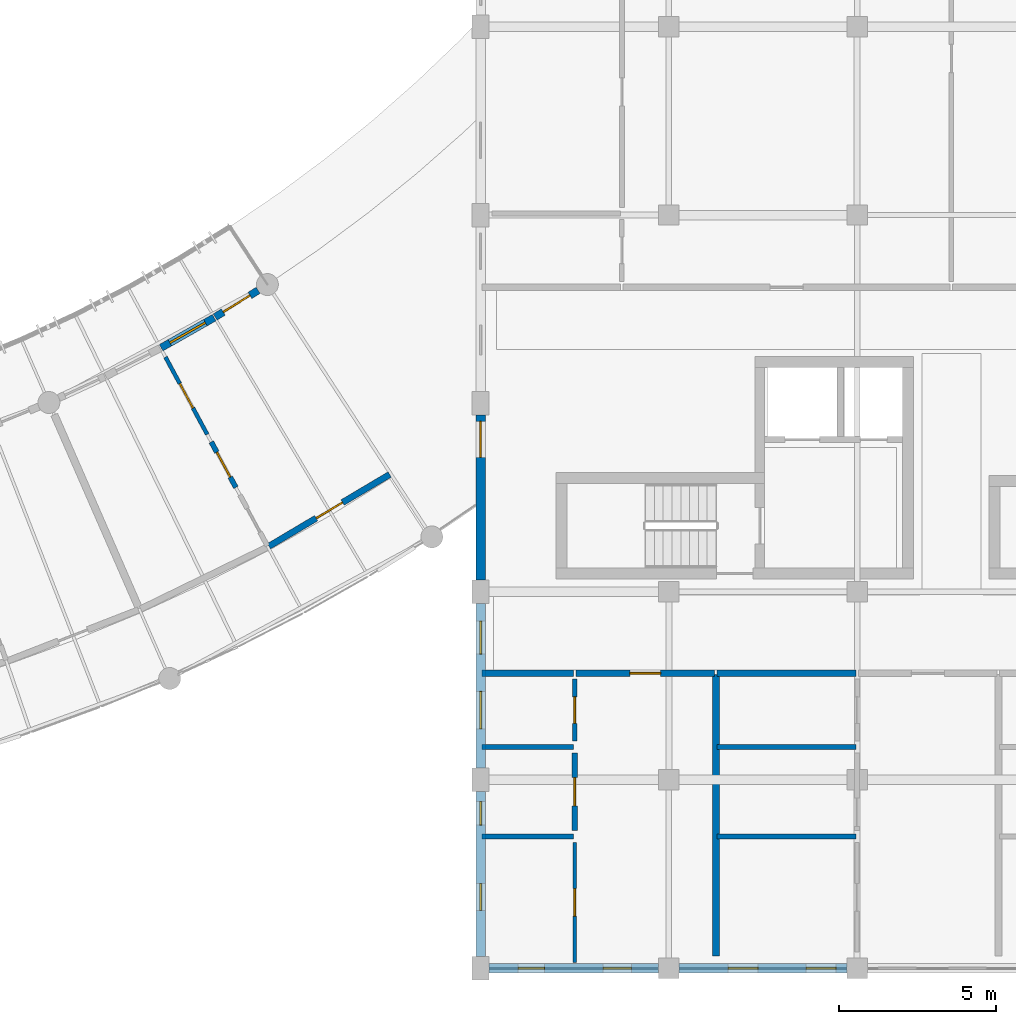
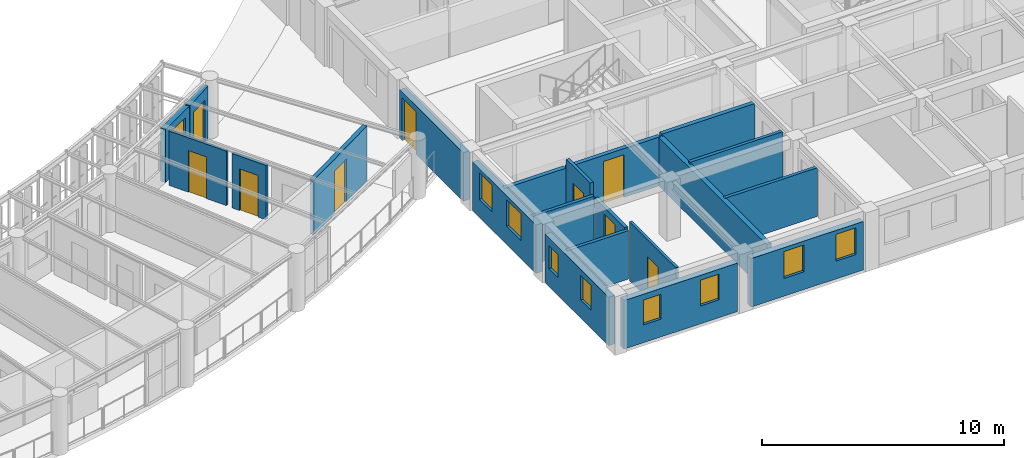
# One storey, part 63 of 100: 21 walls, 9 doors, 9 windows, 18 openings.
"""IFC4 building model written with IfcOpenShell, lengths in metres."""

from ifc_helpers import new_model, si_unit, direction, frame, frame_2d, origin, place, context, subcontext, project, spatial, rectangle, extrude, material, layer, layer_set, type_object, element, fill, save


model = new_model("IFC4")

# Units and contexts
model_context = context("Model", 3, precision=1e-05, world=origin(), true_north=direction((0.0, 1.0)))
body_context = subcontext(model_context, "Body", "Model", "MODEL_VIEW")
ifc_project = project(units=[si_unit("LENGTHUNIT", "METRE"), si_unit("AREAUNIT", "SQUARE_METRE"), si_unit("VOLUMEUNIT", "CUBIC_METRE"), si_unit("PLANEANGLEUNIT", "RADIAN"), si_unit("MASSUNIT", "GRAM", prefix="KILO"), si_unit("POWERUNIT", "WATT"), si_unit("THERMODYNAMICTEMPERATUREUNIT", "KELVIN")], contexts=[model_context])

# Site, building, storey
site_placement = place(None, origin())
site = spatial("IfcSite", under=ifc_project, at=site_placement, CompositionType="ELEMENT")
building_placement = place(site_placement, origin())
building = spatial("IfcBuilding", under=site, at=building_placement, Name="Ruvembo Vaulted Housing Court", CompositionType="ELEMENT")
storey_placement = place(building_placement, frame((0.0, 0.0, 10.89990234375)))
storey = spatial("IfcBuildingStorey", under=building, at=storey_placement, Name="L03", CompositionType="ELEMENT", Elevation=10.89990234375)

# Wall
ifc_material_1 = material(Name="Concrete Blockwork 200", Category="masonry")
ifc_layer_1 = layer(ifc_material_1, 0.199951171875, Name="Concrete Blockwork 200")
ifc_layer_set_1 = layer_set([ifc_layer_1], Name="Concrete Blockwork 200")
wall_type_1 = type_object("IfcWallType", Name="WL-CORR-200", PredefinedType="SOLIDWALL", material=ifc_layer_set_1)
wall_1_placement = place(storey_placement, frame((102.0400390625, 9.39990234375, 0.0), z_axis=(0.0, 0.0, 1.0), x_axis=(1.0, 0.0, 0.0)))
element("IfcWall", 1, at=wall_1_placement, inside=storey, type_object=wall_type_1, Name="L03 Flat C-L03-S1 Corridor Wall WL-INT-L03-00876", PredefinedType="SOLIDWALL", context=body_context, shape_type="SweptSolid", body=[
    extrude(rectangle(XDim=2.919921875, YDim=0.199951171875, at=frame_2d((1.4599609375, 0.0))), origin(), (0.0, 0.0, 1.0), 2.442138671875),
])

# Wall, opening, door
wall_2_placement = place(storey_placement, frame((105.0400390625, 9.39990234375, 0.0), z_axis=(0.0, 0.0, 1.0), x_axis=(1.0, 0.0, 0.0)))
wall_2 = element("IfcWall", 2, at=wall_2_placement, inside=storey, type_object=wall_type_1, Name="L03 Flat C-L03-S1 Entrance WL-INT-L03-00877", PredefinedType="SOLIDWALL", context=body_context, shape_type="SweptSolid", body=[
    extrude(rectangle(XDim=4.419921875, YDim=0.199951171875, at=frame_2d((2.2099609375, 0.0))), origin(), (0.0, 0.0, 1.0), 2.4580078125),
])
opening_1_placement = place(wall_2_placement, frame((1.719970703125, 0.0, 0.0)))
opening_1 = element("IfcOpeningElement", 3, at=opening_1_placement, cuts=wall_2, Name="Opening FD2", PredefinedType="OPENING", context=body_context, shape_type="SweptSolid", body=[
    extrude(rectangle(XDim=0.97998046875, YDim=2.14990234375, at=frame_2d((0.489990234375, 1.074951171875))), frame((0.0, 0.10986328125, 0.0), z_axis=(0.0, -1.0, 0.0), x_axis=(1.0, 0.0, 0.0)), (0.0, 0.0, 1.0), 0.219970703125),
])
ifc_material_2 = material(Name="FSC Hardwood and Engineered Timber", Category="wood")
door_type_1 = type_object("IfcDoorType", Name="DR-FLAT-0980x2150", OperationType="NOTDEFINED", PredefinedType="DOOR", material=ifc_material_2)
door_1_placement = place(opening_1_placement, origin())
door_1 = element("IfcDoor", 4, at=door_1_placement, inside=storey, type_object=door_type_1, Name="L03 Flat C-L03-S1 Entrance Door DR-INT-L03-00484", OperationType="SINGLE_SWING_RIGHT", OverallHeight=2.14990234375, OverallWidth=0.97998046875, PredefinedType="DOOR", context=body_context, shape_type="SweptSolid", body=[
    extrude(rectangle(XDim=0.97998046875, YDim=2.14990234375, at=frame_2d((0.489990234375, 1.074951171875))), frame((0.0, 0.02490234375, 0.0), z_axis=(0.0, -1.0, 0.0), x_axis=(1.0, 0.0, 0.0)), (0.0, 0.0, 1.0), 0.050048828125),
])
fill(opening_1, door_1)

# Wall
wall_3_placement = place(storey_placement, frame((109.5400390625, 9.39990234375, 0.0), z_axis=(0.0, 0.0, 1.0), x_axis=(1.0, 0.0, 0.0)))
element("IfcWall", 5, at=wall_3_placement, inside=storey, type_object=wall_type_1, Name="L03 Flat C-L03-S2 Corridor Wall WL-INT-L03-00884", PredefinedType="SOLIDWALL", context=body_context, shape_type="SweptSolid", body=[
    extrude(rectangle(XDim=4.419921875, YDim=0.199951171875, at=frame_2d((2.2099609375, 0.0))), origin(), (0.0, 0.0, 1.0), 2.548095703125),
])

# Wall, opening, door
wall_4_placement = place(storey_placement, frame((95.258056640625, 13.447265625, 0.0), z_axis=(0.0, 0.0, 1.0), x_axis=(0.859614290038, 0.510943511909, 0.0)))
wall_4 = element("IfcWall", 6, at=wall_4_placement, inside=storey, type_object=wall_type_1, Name="L03 Suite SC2-L03-U7 Entrance WL-INT-L03-01041", PredefinedType="SOLIDWALL", context=body_context, shape_type="SweptSolid", body=[
    extrude(rectangle(XDim=4.472900390625, YDim=0.199951171875, at=frame_2d((2.236328125, 0.0))), origin(), (0.0, 0.0, 1.0), 2.76220703125),
])
opening_2_placement = place(wall_4_placement, frame((1.74658203125, 0.0, 0.0)))
opening_2 = element("IfcOpeningElement", 7, at=opening_2_placement, cuts=wall_4, Name="Opening FD2", PredefinedType="OPENING", context=body_context, shape_type="SweptSolid", body=[
    extrude(rectangle(XDim=0.97998046875, YDim=2.14990234375, at=frame_2d((0.489990234375, 1.074951171875))), frame((0.0, 0.10986328125, 0.0), z_axis=(0.0, -1.0, 0.0), x_axis=(1.0, 0.0, 0.0)), (0.0, 0.0, 1.0), 0.219970703125),
])
door_2_placement = place(opening_2_placement, origin())
door_2 = element("IfcDoor", 8, at=door_2_placement, inside=storey, type_object=door_type_1, Name="L03 Suite SC2-L03-U7 Entrance Door DR-INT-L03-00580", OperationType="SINGLE_SWING_RIGHT", OverallHeight=2.14990234375, OverallWidth=0.97998046875, PredefinedType="DOOR", context=body_context, shape_type="SweptSolid", body=[
    extrude(rectangle(XDim=0.97998046875, YDim=2.14990234375, at=frame_2d((0.489990234375, 1.074951171875))), frame((0.0, 0.02490234375, 0.0), z_axis=(0.0, -1.0, 0.0), x_axis=(1.0, 0.0, 0.0)), (0.0, 0.0, 1.0), 0.050048828125),
])
fill(opening_2, door_2)

# Wall
ifc_material_3 = material(Name="Acoustic Masonry Demising 230", Category="masonry")
ifc_layer_2 = layer(ifc_material_3, 0.22998046875, Name="Acoustic Masonry Demising 230")
ifc_layer_set_2 = layer_set([ifc_layer_2], Name="Acoustic Masonry Demising 230")
wall_type_2 = type_object("IfcWallType", Name="WL-DEM-230", PredefinedType="SOLIDWALL", material=ifc_layer_set_2)
wall_5_placement = place(storey_placement, frame((109.5, 0.389892578125, 0.0), z_axis=(0.0, 0.0, 1.0), x_axis=(0.0, 1.0, 0.0)))
element("IfcWall", 9, at=wall_5_placement, inside=storey, type_object=wall_type_2, Name="L03 Demising C-L03-S1 WL-INT-L03-00875", PredefinedType="SOLIDWALL", context=body_context, shape_type="SweptSolid", body=[
    extrude(rectangle(XDim=8.97021484375, YDim=0.22998046875, at=frame_2d((4.485107421875, 0.0))), origin(), (0.0, 0.0, 1.0), 2.442138671875),
])

# Wall, opening, window
ifc_material_4 = material(Name="Rendered Masonry 235", Category="masonry")
ifc_layer_3 = layer(ifc_material_4, 0.235107421875, Name="Rendered Masonry 235")
ifc_layer_set_3 = layer_set([ifc_layer_3], Name="Rendered Masonry 235")
wall_type_3 = type_object("IfcWallType", Name="WL-EXT-235", PredefinedType="STANDARD", material=ifc_layer_set_3)
wall_6_placement = place(storey_placement, frame((91.820556640625, 19.772216796875, 0.0), z_axis=(0.0, 0.0, 1.0), x_axis=(0.86993400964, 0.493168144623, 0.0)))
wall_6 = element("IfcWall", 10, at=wall_6_placement, inside=storey, type_object=wall_type_3, Name="Scoop SC2 L03 Concave Balcony Wall 26", PredefinedType="STANDARD", context=body_context, shape_type="SweptSolid", body=[
    extrude(rectangle(XDim=1.940185546875, YDim=0.235107421875, at=frame_2d((0.97021484375, 0.0))), origin(), (0.0, 0.0, 1.0), 2.68408203125),
])
opening_3_placement = place(wall_6_placement, frame((0.320068359375, 0.0, 0.85009765625)))
opening_3 = element("IfcOpeningElement", 11, at=opening_3_placement, cuts=wall_6, Name="Opening W15", PredefinedType="OPENING", context=body_context, shape_type="SweptSolid", body=[
    extrude(rectangle(XDim=1.300048828125, YDim=1.449951171875, at=frame_2d((0.64990234375, 0.72509765625))), frame((0.0, 0.12744140625, 0.0), z_axis=(0.0, -1.0, 0.0), x_axis=(1.0, 0.0, 0.0)), (0.0, 0.0, 1.0), 0.255126953125),
])
ifc_material_5 = material(Name="Double Solar-Control Glazing in Aluminium Frame", Category="aluminium")
window_type_1 = type_object("IfcWindowType", Name="WIN-1300x1450", PartitioningType="SINGLE_PANEL", PredefinedType="WINDOW", material=ifc_material_5)
window_1_placement = place(opening_3_placement, origin())
window_1 = element("IfcWindow", 12, at=window_1_placement, inside=storey, type_object=window_type_1, Name="Scoop SC2 L03 Concave Window 26", OverallHeight=1.449951171875, OverallWidth=1.300048828125, PartitioningType="SINGLE_PANEL", PredefinedType="WINDOW", context=body_context, shape_type="SweptSolid", body=[
    extrude(rectangle(XDim=1.300048828125, YDim=1.449951171875, at=frame_2d((0.64990234375, 0.72509765625))), frame((0.0, 0.030029296875, 0.0), z_axis=(0.0, -1.0, 0.0), x_axis=(1.0, 0.0, 0.0)), (0.0, 0.0, 1.0), 0.06005859375),
])
fill(opening_3, window_1)

# Wall, opening, door
wall_7_placement = place(storey_placement, frame((93.542724609375, 20.74951171875, 0.0), z_axis=(0.0, 0.0, 1.0), x_axis=(0.848934138406, 0.528498655296, 0.0)))
wall_7 = element("IfcWall", 13, at=wall_7_placement, inside=storey, type_object=wall_type_3, Name="Scoop SC2 L03 Concave Balcony Wall 27", PredefinedType="STANDARD", context=body_context, shape_type="SweptSolid", body=[
    extrude(rectangle(XDim=1.60986328125, YDim=0.235107421875, at=frame_2d((0.804931640625, 0.0))), origin(), (0.0, 0.0, 1.0), 2.68408203125),
])
opening_4_placement = place(wall_7_placement, frame((0.304931640625, 0.0, 0.0)))
opening_4 = element("IfcOpeningElement", 14, at=opening_4_placement, cuts=wall_7, Name="Opening BD1", PredefinedType="OPENING", context=body_context, shape_type="SweptSolid", body=[
    extrude(rectangle(XDim=1.0, YDim=2.14990234375, at=frame_2d((0.5, 1.074951171875))), frame((0.0, 0.12744140625, 0.0), z_axis=(0.0, -1.0, 0.0), x_axis=(1.0, 0.0, 0.0)), (0.0, 0.0, 1.0), 0.255126953125),
])
ifc_material_6 = material(Name="Thermally Broken Glazed Aluminium", Category="aluminium")
door_type_2 = type_object("IfcDoorType", Name="DR-BAL-1000x2150", OperationType="NOTDEFINED", PredefinedType="DOOR", material=ifc_material_6)
door_3_placement = place(opening_4_placement, origin())
door_3 = element("IfcDoor", 15, at=door_3_placement, inside=storey, type_object=door_type_2, Name="Scoop SC2 L03 Balcony Door 27", OperationType="SINGLE_SWING_RIGHT", OverallHeight=2.14990234375, OverallWidth=1.0, PredefinedType="DOOR", context=body_context, shape_type="SweptSolid", body=[
    extrude(rectangle(XDim=1.0, YDim=2.14990234375, at=frame_2d((0.5, 1.074951171875))), frame((0.0, 0.02490234375, 0.0), z_axis=(0.0, -1.0, 0.0), x_axis=(1.0, 0.0, 0.0)), (0.0, 0.0, 1.0), 0.050048828125),
])
fill(opening_4, door_3)

# Wall, openings, windows
ifc_material_7 = material(Name="Rendered Masonry 300", Category="masonry")
ifc_layer_4 = layer(ifc_material_7, 0.300048828125, Name="Rendered Masonry 300")
ifc_layer_set_4 = layer_set([ifc_layer_4], Name="Rendered Masonry 300")
wall_type_4 = type_object("IfcWallType", Name="WL-EXT-300", PredefinedType="STANDARD", material=ifc_layer_set_4)
wall_8_placement = place(storey_placement, frame((102.27490234375, 0.0, 0.0), z_axis=(0.0, 0.0, 1.0), x_axis=(1.0, 0.0, 0.0)))
wall_8 = element("IfcWall", 16, at=wall_8_placement, inside=storey, type_object=wall_type_4, Name="Block C L03 Exterior Wall STREET #1", PredefinedType="STANDARD", context=body_context, shape_type="SweptSolid", body=[
    extrude(rectangle(XDim=5.400146484375, YDim=0.300048828125, at=frame_2d((2.7001953125, 0.0))), origin(), (0.0, 0.0, 1.0), 2.442138671875),
])
opening_5_placement = place(wall_8_placement, frame((0.91748046875, 0.0, 0.89990234375)))
opening_5 = element("IfcOpeningElement", 17, at=opening_5_placement, cuts=wall_8, Name="Opening W03", PredefinedType="OPENING", context=body_context, shape_type="SweptSolid", body=[
    extrude(rectangle(XDim=0.85009765625, YDim=1.25, at=frame_2d((0.425048828125, 0.625))), frame((0.0, 0.159912109375, 0.0), z_axis=(0.0, -1.0, 0.0), x_axis=(1.0, 0.0, 0.0)), (0.0, 0.0, 1.0), 0.320068359375),
])
opening_6_placement = place(wall_8_placement, frame((3.632568359375, 0.0, 0.89990234375)))
opening_6 = element("IfcOpeningElement", 18, at=opening_6_placement, cuts=wall_8, Name="Opening W04", PredefinedType="OPENING", context=body_context, shape_type="SweptSolid", body=[
    extrude(rectangle(XDim=0.89990234375, YDim=1.300048828125, at=frame_2d((0.449951171875, 0.64990234375))), frame((0.0, 0.159912109375, 0.0), z_axis=(0.0, -1.0, 0.0), x_axis=(1.0, 0.0, 0.0)), (0.0, 0.0, 1.0), 0.320068359375),
])
window_type_2 = type_object("IfcWindowType", Name="WIN-0850x1250", PartitioningType="SINGLE_PANEL", PredefinedType="WINDOW", material=ifc_material_5)
window_2_placement = place(opening_5_placement, origin())
window_2 = element("IfcWindow", 19, at=window_2_placement, inside=storey, type_object=window_type_2, Name="Block C L03 Window #1195", OverallHeight=1.25, OverallWidth=0.85009765625, PartitioningType="SINGLE_PANEL", PredefinedType="WINDOW", context=body_context, shape_type="SweptSolid", body=[
    extrude(rectangle(XDim=0.85009765625, YDim=1.25, at=frame_2d((0.425048828125, 0.625))), frame((0.0, 0.030029296875, 0.0), z_axis=(0.0, -1.0, 0.0), x_axis=(1.0, 0.0, 0.0)), (0.0, 0.0, 1.0), 0.06005859375),
])
fill(opening_5, window_2)
window_type_3 = type_object("IfcWindowType", Name="WIN-0900x1300", PartitioningType="SINGLE_PANEL", PredefinedType="WINDOW", material=ifc_material_5)
window_3_placement = place(opening_6_placement, origin())
window_3 = element("IfcWindow", 20, at=window_3_placement, inside=storey, type_object=window_type_3, Name="Block C L03 Window #1196", OverallHeight=1.300048828125, OverallWidth=0.89990234375, PartitioningType="SINGLE_PANEL", PredefinedType="WINDOW", context=body_context, shape_type="SweptSolid", body=[
    extrude(rectangle(XDim=0.89990234375, YDim=1.300048828125, at=frame_2d((0.449951171875, 0.64990234375))), frame((0.0, 0.030029296875, 0.0), z_axis=(0.0, -1.0, 0.0), x_axis=(1.0, 0.0, 0.0)), (0.0, 0.0, 1.0), 0.06005859375),
])
fill(opening_6, window_3)

wall_9_placement = place(storey_placement, frame((108.324951171875, 0.0, 0.0), z_axis=(0.0, 0.0, 1.0), x_axis=(1.0, 0.0, 0.0)))
wall_9 = element("IfcWall", 21, at=wall_9_placement, inside=storey, type_object=wall_type_4, Name="Block C L03 Exterior Wall STREET #2", PredefinedType="STANDARD", context=body_context, shape_type="SweptSolid", body=[
    extrude(rectangle(XDim=5.35009765625, YDim=0.300048828125, at=frame_2d((2.675048828125, 0.0))), origin(), (0.0, 0.0, 1.0), 2.442138671875),
])
opening_7_placement = place(wall_9_placement, frame((1.56494140625, 0.0, 0.89990234375)))
opening_7 = element("IfcOpeningElement", 22, at=opening_7_placement, cuts=wall_9, Name="Opening W07", PredefinedType="OPENING", context=body_context, shape_type="SweptSolid", body=[
    extrude(rectangle(XDim=0.949951171875, YDim=1.35009765625, at=frame_2d((0.47509765625, 0.675048828125))), frame((0.0, 0.159912109375, 0.0), z_axis=(0.0, -1.0, 0.0), x_axis=(1.0, 0.0, 0.0)), (0.0, 0.0, 1.0), 0.320068359375),
])
opening_8_placement = place(wall_9_placement, frame((4.050048828125, 0.0, 0.89990234375)))
opening_8 = element("IfcOpeningElement", 23, at=opening_8_placement, cuts=wall_9, Name="Opening W07", PredefinedType="OPENING", context=body_context, shape_type="SweptSolid", body=[
    extrude(rectangle(XDim=0.949951171875, YDim=1.35009765625, at=frame_2d((0.47509765625, 0.675048828125))), frame((0.0, 0.159912109375, 0.0), z_axis=(0.0, -1.0, 0.0), x_axis=(1.0, 0.0, 0.0)), (0.0, 0.0, 1.0), 0.320068359375),
])
window_type_4 = type_object("IfcWindowType", Name="WIN-0950x1350", PartitioningType="SINGLE_PANEL", PredefinedType="WINDOW", material=ifc_material_5)
window_4_placement = place(opening_7_placement, origin())
window_4 = element("IfcWindow", 24, at=window_4_placement, inside=storey, type_object=window_type_4, Name="Block C L03 Window #1197", OverallHeight=1.35009765625, OverallWidth=0.949951171875, PartitioningType="SINGLE_PANEL", PredefinedType="WINDOW", context=body_context, shape_type="SweptSolid", body=[
    extrude(rectangle(XDim=0.949951171875, YDim=1.35009765625, at=frame_2d((0.47509765625, 0.675048828125))), frame((0.0, 0.030029296875, 0.0), z_axis=(0.0, -1.0, 0.0), x_axis=(1.0, 0.0, 0.0)), (0.0, 0.0, 1.0), 0.06005859375),
])
fill(opening_7, window_4)
window_5_placement = place(opening_8_placement, origin())
window_5 = element("IfcWindow", 25, at=window_5_placement, inside=storey, type_object=window_type_4, Name="Block C L03 Window #1198", OverallHeight=1.35009765625, OverallWidth=0.949951171875, PartitioningType="SINGLE_PANEL", PredefinedType="WINDOW", context=body_context, shape_type="SweptSolid", body=[
    extrude(rectangle(XDim=0.949951171875, YDim=1.35009765625, at=frame_2d((0.47509765625, 0.675048828125))), frame((0.0, 0.030029296875, 0.0), z_axis=(0.0, -1.0, 0.0), x_axis=(1.0, 0.0, 0.0)), (0.0, 0.0, 1.0), 0.06005859375),
])
fill(opening_8, window_5)

# Wall, opening, door
wall_10_placement = place(storey_placement, frame((102.0, 17.625, 0.0), z_axis=(0.0, 0.0, 1.0), x_axis=(0.0, -1.0, 0.0)))
wall_10 = element("IfcWall", 26, at=wall_10_placement, inside=storey, type_object=wall_type_4, Name="Block C L03 Exterior Wall WEST #4", PredefinedType="STANDARD", context=body_context, shape_type="SweptSolid", body=[
    extrude(rectangle(XDim=5.25, YDim=0.300048828125, at=frame_2d((2.625, 0.0))), origin(), (0.0, 0.0, 1.0), 2.442138671875),
])
opening_9_placement = place(wall_10_placement, frame((0.199951171875, 0.0, 0.0)))
opening_9 = element("IfcOpeningElement", 27, at=opening_9_placement, cuts=wall_10, Name="Opening GD1", PredefinedType="OPENING", context=body_context, shape_type="SweptSolid", body=[
    extrude(rectangle(XDim=1.14990234375, YDim=2.14990234375, at=frame_2d((0.574951171875, 1.074951171875))), frame((0.0, 0.159912109375, 0.0), z_axis=(0.0, -1.0, 0.0), x_axis=(1.0, 0.0, 0.0)), (0.0, 0.0, 1.0), 0.320068359375),
])
door_type_3 = type_object("IfcDoorType", Name="DR-GAL-1150x2150", OperationType="NOTDEFINED", PredefinedType="DOOR", material=ifc_material_6)
door_4_placement = place(opening_9_placement, frame((1.14990234375, 0.0, 0.0), z_axis=(0.0, 0.0, 1.0), x_axis=(-1.0, 0.0, 0.0)))
door_4 = element("IfcDoor", 28, at=door_4_placement, inside=storey, type_object=door_type_3, Name="Block C L03 Terrace or Gallery Door DR-TER-C-L03-058", OperationType="SINGLE_SWING_LEFT", OverallHeight=2.14990234375, OverallWidth=1.14990234375, PredefinedType="DOOR", context=body_context, shape_type="SweptSolid", body=[
    extrude(rectangle(XDim=1.14990234375, YDim=2.14990234375, at=frame_2d((0.574951171875, 1.074951171875))), frame((0.0, 0.02490234375, 0.0), z_axis=(0.0, -1.0, 0.0), x_axis=(1.0, 0.0, 0.0)), (0.0, 0.0, 1.0), 0.050048828125),
])
fill(opening_9, door_4)

# Wall, openings, windows
wall_11_placement = place(storey_placement, frame((102.0, 11.625, 0.0), z_axis=(0.0, 0.0, 1.0), x_axis=(0.0, -1.0, 0.0)))
wall_11 = element("IfcWall", 29, at=wall_11_placement, inside=storey, type_object=wall_type_4, Name="Block C L03 Exterior Wall WEST #5", PredefinedType="STANDARD", context=body_context, shape_type="SweptSolid", body=[
    extrude(rectangle(XDim=5.25, YDim=0.300048828125, at=frame_2d((2.625, 0.0))), origin(), (0.0, 0.0, 1.0), 2.442138671875),
])
opening_10_placement = place(wall_11_placement, frame((0.5673828125, 0.0, 0.89990234375)))
opening_10 = element("IfcOpeningElement", 30, at=opening_10_placement, cuts=wall_11, Name="Opening W09", PredefinedType="OPENING", context=body_context, shape_type="SweptSolid", body=[
    extrude(rectangle(XDim=1.050048828125, YDim=1.35009765625, at=frame_2d((0.52490234375, 0.675048828125))), frame((0.0, 0.159912109375, 0.0), z_axis=(0.0, -1.0, 0.0), x_axis=(1.0, 0.0, 0.0)), (0.0, 0.0, 1.0), 0.320068359375),
])
opening_11_placement = place(wall_11_placement, frame((2.800048828125, 0.0, 0.89990234375)))
opening_11 = element("IfcOpeningElement", 31, at=opening_11_placement, cuts=wall_11, Name="Opening W12", PredefinedType="OPENING", context=body_context, shape_type="SweptSolid", body=[
    extrude(rectangle(XDim=1.199951171875, YDim=1.35009765625, at=frame_2d((0.60009765625, 0.675048828125))), frame((0.0, 0.159912109375, 0.0), z_axis=(0.0, -1.0, 0.0), x_axis=(1.0, 0.0, 0.0)), (0.0, 0.0, 1.0), 0.320068359375),
])
window_type_5 = type_object("IfcWindowType", Name="WIN-1050x1350", PartitioningType="SINGLE_PANEL", PredefinedType="WINDOW", material=ifc_material_5)
window_6_placement = place(opening_10_placement, origin())
window_6 = element("IfcWindow", 32, at=window_6_placement, inside=storey, type_object=window_type_5, Name="Block C L03 Window #1234", OverallHeight=1.35009765625, OverallWidth=1.050048828125, PartitioningType="SINGLE_PANEL", PredefinedType="WINDOW", context=body_context, shape_type="SweptSolid", body=[
    extrude(rectangle(XDim=1.050048828125, YDim=1.35009765625, at=frame_2d((0.52490234375, 0.675048828125))), frame((0.0, 0.030029296875, 0.0), z_axis=(0.0, -1.0, 0.0), x_axis=(1.0, 0.0, 0.0)), (0.0, 0.0, 1.0), 0.06005859375),
])
fill(opening_10, window_6)
window_type_6 = type_object("IfcWindowType", Name="WIN-1200x1350", PartitioningType="SINGLE_PANEL", PredefinedType="WINDOW", material=ifc_material_5)
window_7_placement = place(opening_11_placement, origin())
window_7 = element("IfcWindow", 33, at=window_7_placement, inside=storey, type_object=window_type_6, Name="Block C L03 Window #1235", OverallHeight=1.35009765625, OverallWidth=1.199951171875, PartitioningType="SINGLE_PANEL", PredefinedType="WINDOW", context=body_context, shape_type="SweptSolid", body=[
    extrude(rectangle(XDim=1.199951171875, YDim=1.35009765625, at=frame_2d((0.60009765625, 0.675048828125))), frame((0.0, 0.030029296875, 0.0), z_axis=(0.0, -1.0, 0.0), x_axis=(1.0, 0.0, 0.0)), (0.0, 0.0, 1.0), 0.06005859375),
])
fill(opening_11, window_7)

wall_12_placement = place(storey_placement, frame((102.0, 5.625, 0.0), z_axis=(0.0, 0.0, 1.0), x_axis=(0.0, -1.0, 0.0)))
wall_12 = element("IfcWall", 34, at=wall_12_placement, inside=storey, type_object=wall_type_4, Name="Block C L03 Exterior Wall WEST #6", PredefinedType="STANDARD", context=body_context, shape_type="SweptSolid", body=[
    extrude(rectangle(XDim=5.25, YDim=0.300048828125, at=frame_2d((2.625, 0.0))), origin(), (0.0, 0.0, 1.0), 2.442138671875),
])
opening_12_placement = place(wall_12_placement, frame((0.3173828125, 0.0, 0.89990234375)))
opening_12 = element("IfcOpeningElement", 35, at=opening_12_placement, cuts=wall_12, Name="Opening W01", PredefinedType="OPENING", context=body_context, shape_type="SweptSolid", body=[
    extrude(rectangle(XDim=0.75, YDim=1.14990234375, at=frame_2d((0.375, 0.574951171875))), frame((0.0, 0.159912109375, 0.0), z_axis=(0.0, -1.0, 0.0), x_axis=(1.0, 0.0, 0.0)), (0.0, 0.0, 1.0), 0.320068359375),
])
opening_13_placement = place(wall_12_placement, frame((2.9326171875, 0.0, 0.89990234375)))
opening_13 = element("IfcOpeningElement", 36, at=opening_13_placement, cuts=wall_12, Name="Opening W03", PredefinedType="OPENING", context=body_context, shape_type="SweptSolid", body=[
    extrude(rectangle(XDim=0.85009765625, YDim=1.25, at=frame_2d((0.425048828125, 0.625))), frame((0.0, 0.159912109375, 0.0), z_axis=(0.0, -1.0, 0.0), x_axis=(1.0, 0.0, 0.0)), (0.0, 0.0, 1.0), 0.320068359375),
])
window_type_7 = type_object("IfcWindowType", Name="WIN-0750x1150", PartitioningType="SINGLE_PANEL", PredefinedType="WINDOW", material=ifc_material_5)
window_8_placement = place(opening_12_placement, origin())
window_8 = element("IfcWindow", 37, at=window_8_placement, inside=storey, type_object=window_type_7, Name="Block C L03 Window #1236", OverallHeight=1.14990234375, OverallWidth=0.75, PartitioningType="SINGLE_PANEL", PredefinedType="WINDOW", context=body_context, shape_type="SweptSolid", body=[
    extrude(rectangle(XDim=0.75, YDim=1.14990234375, at=frame_2d((0.375, 0.574951171875))), frame((0.0, 0.030029296875, 0.0), z_axis=(0.0, -1.0, 0.0), x_axis=(1.0, 0.0, 0.0)), (0.0, 0.0, 1.0), 0.06005859375),
])
fill(opening_12, window_8)
window_9_placement = place(opening_13_placement, origin())
window_9 = element("IfcWindow", 38, at=window_9_placement, inside=storey, type_object=window_type_2, Name="Block C L03 Window #1237", OverallHeight=1.25, OverallWidth=0.85009765625, PartitioningType="SINGLE_PANEL", PredefinedType="WINDOW", context=body_context, shape_type="SweptSolid", body=[
    extrude(rectangle(XDim=0.85009765625, YDim=1.25, at=frame_2d((0.425048828125, 0.625))), frame((0.0, 0.030029296875, 0.0), z_axis=(0.0, -1.0, 0.0), x_axis=(1.0, 0.0, 0.0)), (0.0, 0.0, 1.0), 0.06005859375),
])
fill(opening_13, window_9)

# Wall, opening, door
ifc_material_8 = material(Name="Plasterboard Stud Partition 125", Category="gypsum")
ifc_layer_5 = layer(ifc_material_8, 0.125, Name="Plasterboard Stud Partition 125")
ifc_layer_set_5 = layer_set([ifc_layer_5], Name="Plasterboard Stud Partition 125")
wall_type_5 = type_object("IfcWallType", Name="WL-PART-125", PredefinedType="PARTITIONING", material=ifc_layer_set_5)
wall_13_placement = place(storey_placement, frame((105.0, 0.18994140625, 0.0), z_axis=(0.0, 0.0, 1.0), x_axis=(0.0, 1.0, 0.0)))
wall_13 = element("IfcWall", 39, at=wall_13_placement, inside=storey, type_object=wall_type_5, Name="L03 Flat C-L03-S1 Bedroom 1 WL-INT-L03-00878", PredefinedType="PARTITIONING", context=body_context, shape_type="SweptSolid", body=[
    extrude(rectangle(XDim=3.820068359375, YDim=0.125, at=frame_2d((1.91015625, 0.0))), origin(), (0.0, 0.0, 1.0), 2.960205078125),
])
opening_14_placement = place(wall_13_placement, frame((1.469970703125, 0.0, 0.0)))
opening_14 = element("IfcOpeningElement", 40, at=opening_14_placement, cuts=wall_13, Name="Opening ID3", PredefinedType="OPENING", context=body_context, shape_type="SweptSolid", body=[
    extrude(rectangle(XDim=0.8798828125, YDim=2.10009765625, at=frame_2d((0.43994140625, 1.050048828125))), frame((0.0, 0.072509765625, 0.0), z_axis=(0.0, -1.0, 0.0), x_axis=(1.0, 0.0, 0.0)), (0.0, 0.0, 1.0), 0.14501953125),
])
door_type_4 = type_object("IfcDoorType", Name="DR-ROOM-0880x2100", OperationType="NOTDEFINED", PredefinedType="DOOR", material=ifc_material_2)
door_5_placement = place(opening_14_placement, origin())
door_5 = element("IfcDoor", 41, at=door_5_placement, inside=storey, type_object=door_type_4, Name="L03 Flat C-L03-S1 Bedroom 1 Door DR-INT-L03-00485", OperationType="SINGLE_SWING_LEFT", OverallHeight=2.10009765625, OverallWidth=0.8798828125, PredefinedType="DOOR", context=body_context, shape_type="SweptSolid", body=[
    extrude(rectangle(XDim=0.8798828125, YDim=2.10009765625, at=frame_2d((0.43994140625, 1.050048828125))), frame((0.0, 0.02490234375, 0.0), z_axis=(0.0, -1.0, 0.0), x_axis=(1.0, 0.0, 0.0)), (0.0, 0.0, 1.0), 0.050048828125),
])
fill(opening_14, door_5)

wall_14_placement = place(storey_placement, frame((91.958984375, 19.473876953125, 0.0), z_axis=(0.0, 0.0, 1.0), x_axis=(0.475103009949, -0.879930184695, 0.0)))
wall_14 = element("IfcWall", 42, at=wall_14_placement, inside=storey, type_object=wall_type_5, Name="L03 Suite SC2-L03-U7 Bedroom WL-INT-L03-01042", PredefinedType="PARTITIONING", context=body_context, shape_type="SweptSolid", body=[
    extrude(rectangle(XDim=2.800048828125, YDim=0.125, at=frame_2d((1.39990234375, 0.0))), origin(), (0.0, 0.0, 1.0), 2.7421875),
])
opening_15_placement = place(wall_14_placement, frame((0.9599609375, 0.0, 0.0)))
opening_15 = element("IfcOpeningElement", 43, at=opening_15_placement, cuts=wall_14, Name="Opening ID3", PredefinedType="OPENING", context=body_context, shape_type="SweptSolid", body=[
    extrude(rectangle(XDim=0.8798828125, YDim=2.10009765625, at=frame_2d((0.43994140625, 1.050048828125))), frame((0.0, 0.072509765625, 0.0), z_axis=(0.0, -1.0, 0.0), x_axis=(1.0, 0.0, 0.0)), (0.0, 0.0, 1.0), 0.14501953125),
])
door_6_placement = place(opening_15_placement, origin())
door_6 = element("IfcDoor", 44, at=door_6_placement, inside=storey, type_object=door_type_4, Name="L03 Suite SC2-L03-U7 Bedroom Door DR-INT-L03-00581", OperationType="SINGLE_SWING_LEFT", OverallHeight=2.10009765625, OverallWidth=0.8798828125, PredefinedType="DOOR", context=body_context, shape_type="SweptSolid", body=[
    extrude(rectangle(XDim=0.8798828125, YDim=2.10009765625, at=frame_2d((0.43994140625, 1.050048828125))), frame((0.0, 0.02490234375, 0.0), z_axis=(0.0, -1.0, 0.0), x_axis=(1.0, 0.0, 0.0)), (0.0, 0.0, 1.0), 0.050048828125),
])
fill(opening_15, door_6)

ifc_material_9 = material(Name="Moisture-Resistant Wet Partition 150", Category="gypsum")
ifc_layer_6 = layer(ifc_material_9, 0.14990234375, Name="Moisture-Resistant Wet Partition 150")
ifc_layer_set_6 = layer_set([ifc_layer_6], Name="Moisture-Resistant Wet Partition 150")
wall_type_6 = type_object("IfcWallType", Name="WL-PART-150", PredefinedType="PARTITIONING", material=ifc_layer_set_6)
wall_15_placement = place(storey_placement, frame((105.0, 7.239990234375, 0.0), z_axis=(0.0, 0.0, 1.0), x_axis=(0.0, 1.0, 0.0)))
wall_15 = element("IfcWall", 45, at=wall_15_placement, inside=storey, type_object=wall_type_6, Name="L03 Flat C-L03-S1 Bathroom WL-INT-L03-00880", PredefinedType="PARTITIONING", context=body_context, shape_type="SweptSolid", body=[
    extrude(rectangle(XDim=1.969970703125, YDim=0.14990234375, at=frame_2d((0.98486328125, 0.0))), origin(), (0.0, 0.0, 1.0), 2.960205078125),
])
opening_16_placement = place(wall_15_placement, frame((0.56005859375, 0.0, 0.0)))
opening_16 = element("IfcOpeningElement", 46, at=opening_16_placement, cuts=wall_15, Name="Opening ID2", PredefinedType="OPENING", context=body_context, shape_type="SweptSolid", body=[
    extrude(rectangle(XDim=0.85009765625, YDim=2.10009765625, at=frame_2d((0.425048828125, 1.050048828125))), frame((0.0, 0.0849609375, 0.0), z_axis=(0.0, -1.0, 0.0), x_axis=(1.0, 0.0, 0.0)), (0.0, 0.0, 1.0), 0.169921875),
])
door_type_5 = type_object("IfcDoorType", Name="DR-WET-0850x2100", OperationType="NOTDEFINED", PredefinedType="DOOR", material=ifc_material_2)
door_7_placement = place(opening_16_placement, origin())
door_7 = element("IfcDoor", 47, at=door_7_placement, inside=storey, type_object=door_type_5, Name="L03 Flat C-L03-S1 Bathroom Door DR-INT-L03-00487", OperationType="SINGLE_SWING_LEFT", OverallHeight=2.10009765625, OverallWidth=0.85009765625, PredefinedType="DOOR", context=body_context, shape_type="SweptSolid", body=[
    extrude(rectangle(XDim=0.85009765625, YDim=2.10009765625, at=frame_2d((0.425048828125, 1.050048828125))), frame((0.0, 0.02490234375, 0.0), z_axis=(0.0, -1.0, 0.0), x_axis=(1.0, 0.0, 0.0)), (0.0, 0.0, 1.0), 0.050048828125),
])
fill(opening_16, door_7)

# Walls
for number, where, z_axis, x_axis, name in (
    (48, (102.0400390625, 4.199951171875, 0.0), (0.0, 0.0, 1.0), (1.0, 0.0, 0.0), "L03 Flat C-L03-S1 Wet Wall 1 WL-INT-L03-00881"),
    (49, (102.0400390625, 7.050048828125, 0.0), (0.0, 0.0, 1.0), (1.0, 0.0, 0.0), "L03 Flat C-L03-S1 Wet Wall 2 WL-INT-L03-00882"),
):
    element("IfcWall", number, at=place(storey_placement, frame(where, z_axis=z_axis, x_axis=x_axis)), inside=storey, type_object=wall_type_6, Name=name, PredefinedType="PARTITIONING", context=body_context, shape_type="SweptSolid", body=[
        extrude(rectangle(XDim=2.919921875, YDim=0.14990234375, at=frame_2d((1.4599609375, 0.0))), origin(), (0.0, 0.0, 1.0), 2.442138671875),
    ])
wall_16_placement = place(storey_placement, frame((109.5400390625, 4.199951171875, 0.0), z_axis=(0.0, 0.0, 1.0), x_axis=(1.0, 0.0, 0.0)))
element("IfcWall", 50, at=wall_16_placement, inside=storey, type_object=wall_type_6, Name="L03 Flat C-L03-S2 Wet Wall 1 WL-INT-L03-00889", PredefinedType="PARTITIONING", context=body_context, shape_type="SweptSolid", body=[
    extrude(rectangle(XDim=4.419921875, YDim=0.14990234375, at=frame_2d((2.2099609375, 0.0))), origin(), (0.0, 0.0, 1.0), 2.4580078125),
])
wall_17_placement = place(storey_placement, frame((109.5400390625, 7.050048828125, 0.0), z_axis=(0.0, 0.0, 1.0), x_axis=(1.0, 0.0, 0.0)))
element("IfcWall", 51, at=wall_17_placement, inside=storey, type_object=wall_type_6, Name="L03 Flat C-L03-S2 Wet Wall 2 WL-INT-L03-00890", PredefinedType="PARTITIONING", context=body_context, shape_type="SweptSolid", body=[
    extrude(rectangle(XDim=4.419921875, YDim=0.14990234375, at=frame_2d((2.2099609375, 0.0))), origin(), (0.0, 0.0, 1.0), 2.548095703125),
])

# Wall, opening, door
ifc_material_10 = material(Name="Acoustic Service Chase Wall 160", Category="gypsum")
ifc_layer_7 = layer(ifc_material_10, 0.159912109375, Name="Acoustic Service Chase Wall 160")
ifc_layer_set_7 = layer_set([ifc_layer_7], Name="Acoustic Service Chase Wall 160")
wall_type_7 = type_object("IfcWallType", Name="WL-PLUMB-160", PredefinedType="PLUMBINGWALL", material=ifc_layer_set_7)
wall_18_placement = place(storey_placement, frame((105.0, 4.389892578125, 0.0), z_axis=(0.0, 0.0, 1.0), x_axis=(0.0, 1.0, 0.0)))
wall_18 = element("IfcWall", 52, at=wall_18_placement, inside=storey, type_object=wall_type_7, Name="L03 Flat C-L03-S1 Kitchen WL-INT-L03-00879", PredefinedType="PLUMBINGWALL", context=body_context, shape_type="SweptSolid", body=[
    extrude(rectangle(XDim=2.47021484375, YDim=0.159912109375, at=frame_2d((1.235107421875, 0.0))), origin(), (0.0, 0.0, 1.0), 2.442138671875),
])
opening_17_placement = place(wall_18_placement, frame((0.784912109375, 0.0, 0.0)))
opening_17 = element("IfcOpeningElement", 53, at=opening_17_placement, cuts=wall_18, Name="Opening ID1", PredefinedType="OPENING", context=body_context, shape_type="SweptSolid", body=[
    extrude(rectangle(XDim=0.89990234375, YDim=2.10009765625, at=frame_2d((0.449951171875, 1.050048828125))), frame((0.0, 0.08984375, 0.0), z_axis=(0.0, -1.0, 0.0), x_axis=(1.0, 0.0, 0.0)), (0.0, 0.0, 1.0), 0.179931640625),
])
door_type_6 = type_object("IfcDoorType", Name="DR-ROOM-0900x2100", OperationType="NOTDEFINED", PredefinedType="DOOR", material=ifc_material_2)
door_8_placement = place(opening_17_placement, origin())
door_8 = element("IfcDoor", 54, at=door_8_placement, inside=storey, type_object=door_type_6, Name="L03 Flat C-L03-S1 Kitchen Door DR-INT-L03-00486", OperationType="SINGLE_SWING_RIGHT", OverallHeight=2.10009765625, OverallWidth=0.89990234375, PredefinedType="DOOR", context=body_context, shape_type="SweptSolid", body=[
    extrude(rectangle(XDim=0.89990234375, YDim=2.10009765625, at=frame_2d((0.449951171875, 1.050048828125))), frame((0.0, 0.02490234375, 0.0), z_axis=(0.0, -1.0, 0.0), x_axis=(1.0, 0.0, 0.0)), (0.0, 0.0, 1.0), 0.050048828125),
])
fill(opening_17, door_8)

wall_19_placement = place(storey_placement, frame((93.41845703125, 16.7705078125, 0.0), z_axis=(0.0, 0.0, 1.0), x_axis=(0.475080097018, -0.879942555749, 0.0)))
wall_19 = element("IfcWall", 55, at=wall_19_placement, inside=storey, type_object=wall_type_7, Name="L03 Suite SC2-L03-U7 Kitchen WL-INT-L03-01043", PredefinedType="PLUMBINGWALL", context=body_context, shape_type="SweptSolid", body=[
    extrude(rectangle(XDim=1.64794921875, YDim=0.159912109375, at=frame_2d((0.823974609375, 0.0))), origin(), (0.0, 0.0, 1.0), 2.7421875),
])
opening_18_placement = place(wall_19_placement, frame((0.3740234375, 0.0, 0.0)))
opening_18 = element("IfcOpeningElement", 56, at=opening_18_placement, cuts=wall_19, Name="Opening ID1", PredefinedType="OPENING", context=body_context, shape_type="SweptSolid", body=[
    extrude(rectangle(XDim=0.89990234375, YDim=2.10009765625, at=frame_2d((0.449951171875, 1.050048828125))), frame((0.0, 0.08984375, 0.0), z_axis=(0.0, -1.0, 0.0), x_axis=(1.0, 0.0, 0.0)), (0.0, 0.0, 1.0), 0.179931640625),
])
door_9_placement = place(opening_18_placement, origin())
door_9 = element("IfcDoor", 57, at=door_9_placement, inside=storey, type_object=door_type_6, Name="L03 Suite SC2-L03-U7 Kitchen Door DR-INT-L03-00582", OperationType="SINGLE_SWING_RIGHT", OverallHeight=2.10009765625, OverallWidth=0.89990234375, PredefinedType="DOOR", context=body_context, shape_type="SweptSolid", body=[
    extrude(rectangle(XDim=0.89990234375, YDim=2.10009765625, at=frame_2d((0.449951171875, 1.050048828125))), frame((0.0, 0.02490234375, 0.0), z_axis=(0.0, -1.0, 0.0), x_axis=(1.0, 0.0, 0.0)), (0.0, 0.0, 1.0), 0.050048828125),
])
fill(opening_18, door_9)

save(model, "model.ifc")
